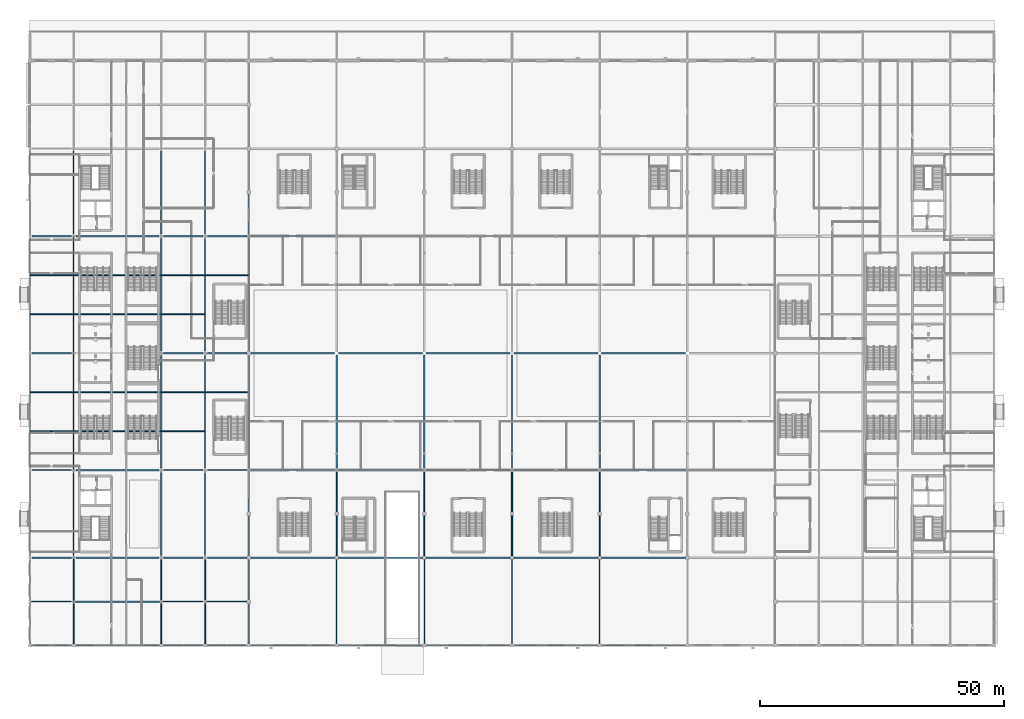
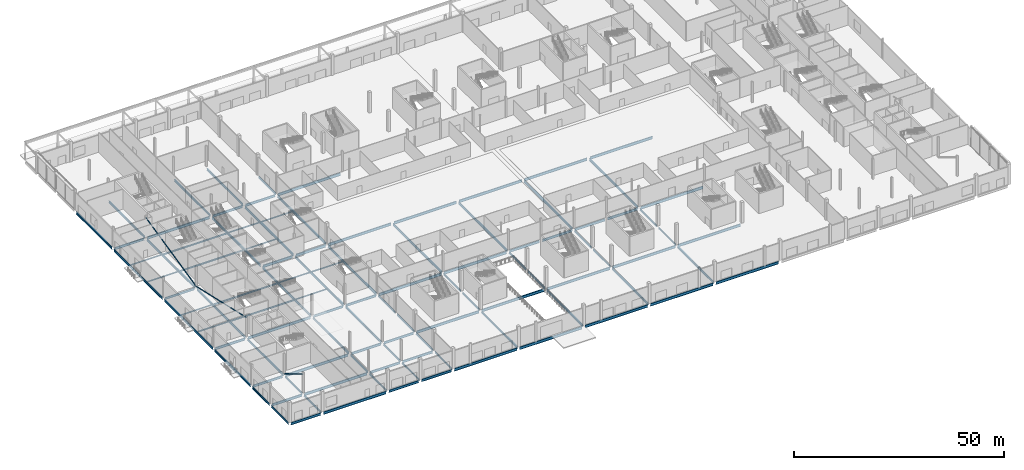
# One storey, part 21 of 84: 107 beams, 3 members.
"""IFC4 building model written with IfcOpenShell, lengths in metres."""

from ifc_helpers import new_model, si_unit, direction, frame, origin, origin_2d, place, context, subcontext, project, spatial, hollow_circle, i_section, extrude, material, material_profile, profile_set, type_object, element, save


model = new_model("IFC4")

# Units and contexts
model_context = context("Model", 3, precision=1e-05, world=origin(), true_north=direction((0.0, 1.0)))
body_context = subcontext(model_context, "Body", "Model", "MODEL_VIEW")
ifc_project = project(units=[si_unit("LENGTHUNIT", "METRE"), si_unit("AREAUNIT", "SQUARE_METRE"), si_unit("VOLUMEUNIT", "CUBIC_METRE"), si_unit("PLANEANGLEUNIT", "RADIAN"), si_unit("MASSUNIT", "GRAM", prefix="KILO")], contexts=[model_context])

# Site, building, storey
site_placement = place(None, origin())
site = spatial("IfcSite", under=ifc_project, at=site_placement, CompositionType="ELEMENT")
building_placement = place(site_placement, origin())
building = spatial("IfcBuilding", under=site, at=building_placement, Name="Kisiwana Market Hall", CompositionType="ELEMENT")
storey_placement = place(building_placement, origin())
storey = spatial("IfcBuildingStorey", under=building, at=storey_placement, Name="L00", CompositionType="ELEMENT", Elevation=0.0)

# Beams
ifc_material_1 = material(Name="Steel S355", Category="steel")
ifc_material_profile_1 = material_profile(ifc_material_1, i_section(OverallWidth=0.209228515625, OverallDepth=0.533203125, WebThickness=0.010009765625, FlangeThickness=0.015625, at=origin_2d()), Name="UB 533x210x92")
ifc_profile_set_1 = profile_set([ifc_material_profile_1], Name="Steel S355")
beam_type_1 = type_object("IfcBeamType", Name="BM-GIRD-UB533", PredefinedType="BEAM", material=ifc_profile_set_1)
beam_1_placement = place(storey_placement, frame((9.0, 0.39599609375, -0.526611328125), z_axis=(0.0, 1.0, 0.0), x_axis=(-1.0, 0.0, 0.0)))
element("IfcBeam", 1, at=beam_1_placement, inside=storey, type_object=beam_type_1, Name="Primary girder B-0005", PredefinedType="BEAM", context=body_context, shape_type="SweptSolid", body=[
    extrude(i_section(OverallWidth=0.209228515625, OverallDepth=0.533203125, WebThickness=0.010009765625, FlangeThickness=0.015625, at=origin_2d()), origin(), (0.0, 0.0, 1.0), 8.2080078125),
])
beam_2_placement = place(storey_placement, frame((9.0, 9.39599609375, -0.526611328125), z_axis=(0.0, 1.0, 0.0), x_axis=(-1.0, 0.0, 0.0)))
element("IfcBeam", 2, at=beam_2_placement, inside=storey, type_object=beam_type_1, Name="Primary girder B-0006", PredefinedType="BEAM", context=body_context, shape_type="SweptSolid", body=[
    extrude(i_section(OverallWidth=0.209228515625, OverallDepth=0.533203125, WebThickness=0.010009765625, FlangeThickness=0.015625, at=origin_2d()), origin(), (0.0, 0.0, 1.0), 8.157958984375),
])
beam_3_placement = place(storey_placement, frame((27.0, 0.39599609375, -0.526611328125), z_axis=(0.0, 1.0, 0.0), x_axis=(-1.0, 0.0, 0.0)))
element("IfcBeam", 3, at=beam_3_placement, inside=storey, type_object=beam_type_1, Name="Primary girder B-0014", PredefinedType="BEAM", context=body_context, shape_type="SweptSolid", body=[
    extrude(i_section(OverallWidth=0.209228515625, OverallDepth=0.533203125, WebThickness=0.010009765625, FlangeThickness=0.015625, at=origin_2d()), origin(), (0.0, 0.0, 1.0), 8.2080078125),
])
beam_4_placement = place(storey_placement, frame((27.0, 9.39599609375, -0.526611328125), z_axis=(0.0, 1.0, 0.0), x_axis=(-1.0, 0.0, 0.0)))
element("IfcBeam", 4, at=beam_4_placement, inside=storey, type_object=beam_type_1, Name="Primary girder B-0015", PredefinedType="BEAM", context=body_context, shape_type="SweptSolid", body=[
    extrude(i_section(OverallWidth=0.209228515625, OverallDepth=0.533203125, WebThickness=0.010009765625, FlangeThickness=0.015625, at=origin_2d()), origin(), (0.0, 0.0, 1.0), 8.157958984375),
])
beam_5_placement = place(storey_placement, frame((36.0, 0.39599609375, -0.526611328125), z_axis=(0.0, 1.0, 0.0), x_axis=(-1.0, 0.0, 0.0)))
element("IfcBeam", 5, at=beam_5_placement, inside=storey, type_object=beam_type_1, Name="Primary girder B-0021", PredefinedType="BEAM", context=body_context, shape_type="SweptSolid", body=[
    extrude(i_section(OverallWidth=0.209228515625, OverallDepth=0.533203125, WebThickness=0.010009765625, FlangeThickness=0.015625, at=origin_2d()), origin(), (0.0, 0.0, 1.0), 8.2080078125),
])
beam_6_placement = place(storey_placement, frame((36.0, 9.39599609375, -0.526611328125), z_axis=(0.0, 1.0, 0.0), x_axis=(-1.0, 0.0, 0.0)))
element("IfcBeam", 6, at=beam_6_placement, inside=storey, type_object=beam_type_1, Name="Primary girder B-0022", PredefinedType="BEAM", context=body_context, shape_type="SweptSolid", body=[
    extrude(i_section(OverallWidth=0.209228515625, OverallDepth=0.533203125, WebThickness=0.010009765625, FlangeThickness=0.015625, at=origin_2d()), origin(), (0.0, 0.0, 1.0), 8.157958984375),
])
for number, where, z_axis, x_axis, name in (
    (7, (45.0, 0.39599609375, -0.526611328125), (0.0, 1.0, 0.0), (-1.0, 0.0, 0.0), "Primary girder B-0030"),
    (8, (45.0, 9.39599609375, -0.526611328125), (0.0, 1.0, 0.0), (-1.0, 0.0, 0.0), "Primary girder B-0031"),
    (9, (45.0, 18.39599609375, -0.526611328125), (0.0, 1.0, 0.0), (-1.0, 0.0, 0.0), "Primary girder B-0032"),
    (10, (45.0, 27.39599609375, -0.526611328125), (0.0, 1.0, 0.0), (-1.0, 0.0, 0.0), "Primary girder B-0033"),
    (11, (45.0, 84.39599609375, -0.526611328125), (0.0, 1.0, 0.0), (-1.0, 0.0, 0.0), "Primary girder B-0034"),
    (12, (63.0, 18.39599609375, -0.526611328125), (0.0, 1.0, 0.0), (-1.0, 0.0, 0.0), "Primary girder B-0040"),
    (13, (63.0, 27.39599609375, -0.526611328125), (0.0, 1.0, 0.0), (-1.0, 0.0, 0.0), "Primary girder B-0041"),
    (14, (81.0, 18.39599609375, -0.526611328125), (0.0, 1.0, 0.0), (-1.0, 0.0, 0.0), "Primary girder B-0049"),
    (15, (81.0, 27.39599609375, -0.526611328125), (0.0, 1.0, 0.0), (-1.0, 0.0, 0.0), "Primary girder B-0050"),
    (16, (99.0, 18.39599609375, -0.526611328125), (0.0, 1.0, 0.0), (-1.0, 0.0, 0.0), "Primary girder B-0058"),
    (17, (99.0, 27.39599609375, -0.526611328125), (0.0, 1.0, 0.0), (-1.0, 0.0, 0.0), "Primary girder B-0059"),
    (18, (117.0, 18.39599609375, -0.526611328125), (0.0, 1.0, 0.0), (-1.0, 0.0, 0.0), "Primary girder B-0067"),
    (19, (117.0, 27.39599609375, -0.526611328125), (0.0, 1.0, 0.0), (-1.0, 0.0, 0.0), "Primary girder B-0068"),
):
    element("IfcBeam", number, at=place(storey_placement, frame(where, z_axis=z_axis, x_axis=x_axis)), inside=storey, type_object=beam_type_1, Name=name, PredefinedType="BEAM", context=body_context, shape_type="SweptSolid", body=[
        extrude(i_section(OverallWidth=0.209228515625, OverallDepth=0.533203125, WebThickness=0.010009765625, FlangeThickness=0.015625, at=origin_2d()), origin(), (0.0, 0.0, 1.0), 8.2080078125),
    ])
ifc_material_2 = material(Name="Steel S355", Category="steel")
ifc_material_profile_2 = material_profile(ifc_material_2, i_section(OverallWidth=0.22900390625, OverallDepth=0.6123046875, WebThickness=0.011962890625, FlangeThickness=0.01953125, at=origin_2d()), Name="UB 610x229x125")
ifc_profile_set_2 = profile_set([ifc_material_profile_2], Name="Steel S355")
beam_type_2 = type_object("IfcBeamType", Name="BM-GIRD-UB610H", PredefinedType="BEAM", material=ifc_profile_set_2)
beam_7_placement = place(storey_placement, frame((0.0, 0.39599609375, -0.566162109375), z_axis=(0.0, 1.0, 0.0), x_axis=(-1.0, 0.0, 0.0)))
element("IfcBeam", 20, at=beam_7_placement, inside=storey, type_object=beam_type_2, Name="Floor beam B-0273", PredefinedType="BEAM", context=body_context, shape_type="SweptSolid", body=[
    extrude(i_section(OverallWidth=0.22900390625, OverallDepth=0.6123046875, WebThickness=0.011962890625, FlangeThickness=0.01953125, at=origin_2d()), origin(), (0.0, 0.0, 1.0), 8.2080078125),
])
beam_8_placement = place(storey_placement, frame((0.0, 9.39599609375, -0.566162109375), z_axis=(0.0, 1.0, 0.0), x_axis=(-1.0, 0.0, 0.0)))
element("IfcBeam", 21, at=beam_8_placement, inside=storey, type_object=beam_type_2, Name="Floor beam B-0274", PredefinedType="BEAM", context=body_context, shape_type="SweptSolid", body=[
    extrude(i_section(OverallWidth=0.22900390625, OverallDepth=0.6123046875, WebThickness=0.011962890625, FlangeThickness=0.01953125, at=origin_2d()), origin(), (0.0, 0.0, 1.0), 8.157958984375),
])
beam_9_placement = place(storey_placement, frame((0.446044921875, 60.0, -0.566162109375), z_axis=(1.0, 0.0, 0.0), x_axis=(0.0, 1.0, 0.0)))
element("IfcBeam", 22, at=beam_9_placement, inside=storey, type_object=beam_type_2, Name="Primary girder B-0003", PredefinedType="BEAM", context=body_context, shape_type="SweptSolid", body=[
    extrude(i_section(OverallWidth=0.22900390625, OverallDepth=0.6123046875, WebThickness=0.011962890625, FlangeThickness=0.01953125, at=origin_2d()), origin(), (0.0, 0.0, 1.0), 8.10791015625),
])
for number, where, z_axis, x_axis, name in (
    (23, (9.0, 18.446044921875, -0.566162109375), (0.0, 1.0, 0.0), (-1.0, 0.0, 0.0), "Primary girder B-0007"),
    (24, (9.0, 84.446044921875, -0.566162109375), (0.0, 1.0, 0.0), (-1.0, 0.0, 0.0), "Primary girder B-0010"),
    (25, (27.0, 18.446044921875, -0.566162109375), (0.0, 1.0, 0.0), (-1.0, 0.0, 0.0), "Primary girder B-0016"),
    (26, (27.0, 84.446044921875, -0.566162109375), (0.0, 1.0, 0.0), (-1.0, 0.0, 0.0), "Primary girder B-0017"),
    (27, (36.0, 18.446044921875, -0.566162109375), (0.0, 1.0, 0.0), (-1.0, 0.0, 0.0), "Primary girder B-0023"),
    (28, (36.0, 84.446044921875, -0.566162109375), (0.0, 1.0, 0.0), (-1.0, 0.0, 0.0), "Primary girder B-0026"),
):
    element("IfcBeam", number, at=place(storey_placement, frame(where, z_axis=z_axis, x_axis=x_axis)), inside=storey, type_object=beam_type_2, Name=name, PredefinedType="BEAM", context=body_context, shape_type="SweptSolid", body=[
        extrude(i_section(OverallWidth=0.22900390625, OverallDepth=0.6123046875, WebThickness=0.011962890625, FlangeThickness=0.01953125, at=origin_2d()), origin(), (0.0, 0.0, 1.0), 17.10791015625),
    ])
for number, where, z_axis, x_axis, name in (
    (29, (63.0, 0.39599609375, -0.566162109375), (0.0, 1.0, 0.0), (-1.0, 0.0, 0.0), "Primary girder B-0039"),
    (30, (81.0, 0.39599609375, -0.566162109375), (0.0, 1.0, 0.0), (-1.0, 0.0, 0.0), "Primary girder B-0048"),
    (31, (99.0, 0.39599609375, -0.566162109375), (0.0, 1.0, 0.0), (-1.0, 0.0, 0.0), "Primary girder B-0057"),
    (32, (117.0, 0.39599609375, -0.566162109375), (0.0, 1.0, 0.0), (-1.0, 0.0, 0.0), "Primary girder B-0066"),
):
    element("IfcBeam", number, at=place(storey_placement, frame(where, z_axis=z_axis, x_axis=x_axis)), inside=storey, type_object=beam_type_2, Name=name, PredefinedType="BEAM", context=body_context, shape_type="SweptSolid", body=[
        extrude(i_section(OverallWidth=0.22900390625, OverallDepth=0.6123046875, WebThickness=0.011962890625, FlangeThickness=0.01953125, at=origin_2d()), origin(), (0.0, 0.0, 1.0), 17.2080078125),
    ])
ifc_material_3 = material(Name="Steel S355", Category="steel")
ifc_material_profile_3 = material_profile(ifc_material_3, i_section(OverallWidth=0.253662109375, OverallDepth=0.68359375, WebThickness=0.012451171875, FlangeThickness=0.01904296875, at=origin_2d()), Name="UB 686x254x140")
ifc_profile_set_3 = profile_set([ifc_material_profile_3], Name="Steel S355")
beam_type_3 = type_object("IfcBeamType", Name="BM-GIRD-UB686", PredefinedType="BEAM", material=ifc_profile_set_3)
for number, where, z_axis, x_axis, name in (
    (33, (0.39599609375, 0.0, -0.601806640625), (1.0, 0.0, 0.0), (0.0, 1.0, 0.0), "Floor beam B-0147"),
    (34, (27.39599609375, 0.0, -0.601806640625), (1.0, 0.0, 0.0), (0.0, 1.0, 0.0), "Floor beam B-0149"),
    (35, (36.39599609375, 0.0, -0.601806640625), (1.0, 0.0, 0.0), (0.0, 1.0, 0.0), "Floor beam B-0150"),
    (36, (0.39599609375, 9.0, -0.601806640625), (1.0, 0.0, 0.0), (0.0, 1.0, 0.0), "Floor beam B-0161"),
    (37, (27.39599609375, 9.0, -0.601806640625), (1.0, 0.0, 0.0), (0.0, 1.0, 0.0), "Floor beam B-0163"),
    (38, (36.39599609375, 9.0, -0.601806640625), (1.0, 0.0, 0.0), (0.0, 1.0, 0.0), "Floor beam B-0164"),
):
    element("IfcBeam", number, at=place(storey_placement, frame(where, z_axis=z_axis, x_axis=x_axis)), inside=storey, type_object=beam_type_3, Name=name, PredefinedType="BEAM", context=body_context, shape_type="SweptSolid", body=[
        extrude(i_section(OverallWidth=0.253662109375, OverallDepth=0.68359375, WebThickness=0.012451171875, FlangeThickness=0.01904296875, at=origin_2d()), origin(), (0.0, 0.0, 1.0), 8.2080078125),
    ])
for number, where, z_axis, x_axis, name in (
    (39, (0.446044921875, 18.0, -0.601806640625), (1.0, 0.0, 0.0), (0.0, 1.0, 0.0), "Floor beam B-0169"),
    (40, (27.446044921875, 18.0, -0.601806640625), (1.0, 0.0, 0.0), (0.0, 1.0, 0.0), "Floor beam B-0171"),
):
    element("IfcBeam", number, at=place(storey_placement, frame(where, z_axis=z_axis, x_axis=x_axis)), inside=storey, type_object=beam_type_3, Name=name, PredefinedType="BEAM", context=body_context, shape_type="SweptSolid", body=[
        extrude(i_section(OverallWidth=0.253662109375, OverallDepth=0.68359375, WebThickness=0.012451171875, FlangeThickness=0.01904296875, at=origin_2d()), origin(), (0.0, 0.0, 1.0), 8.10791015625),
    ])
beam_10_placement = place(storey_placement, frame((36.446044921875, 18.0, -0.601806640625), z_axis=(1.0, 0.0, 0.0), x_axis=(0.0, 1.0, 0.0)))
element("IfcBeam", 41, at=beam_10_placement, inside=storey, type_object=beam_type_3, Name="Floor beam B-0172", PredefinedType="BEAM", context=body_context, shape_type="SweptSolid", body=[
    extrude(i_section(OverallWidth=0.253662109375, OverallDepth=0.68359375, WebThickness=0.012451171875, FlangeThickness=0.01904296875, at=origin_2d()), origin(), (0.0, 0.0, 1.0), 8.157958984375),
])
for number, where, z_axis, x_axis, name in (
    (42, (0.446044921875, 36.0, -0.601806640625), (1.0, 0.0, 0.0), (0.0, 1.0, 0.0), "Floor beam B-0183"),
    (43, (27.446044921875, 36.0, -0.601806640625), (1.0, 0.0, 0.0), (0.0, 1.0, 0.0), "Floor beam B-0185"),
):
    element("IfcBeam", number, at=place(storey_placement, frame(where, z_axis=z_axis, x_axis=x_axis)), inside=storey, type_object=beam_type_3, Name=name, PredefinedType="BEAM", context=body_context, shape_type="SweptSolid", body=[
        extrude(i_section(OverallWidth=0.253662109375, OverallDepth=0.68359375, WebThickness=0.012451171875, FlangeThickness=0.01904296875, at=origin_2d()), origin(), (0.0, 0.0, 1.0), 8.10791015625),
    ])
beam_11_placement = place(storey_placement, frame((36.446044921875, 36.0, -0.601806640625), z_axis=(1.0, 0.0, 0.0), x_axis=(0.0, 1.0, 0.0)))
element("IfcBeam", 44, at=beam_11_placement, inside=storey, type_object=beam_type_3, Name="Floor beam B-0186", PredefinedType="BEAM", context=body_context, shape_type="SweptSolid", body=[
    extrude(i_section(OverallWidth=0.253662109375, OverallDepth=0.68359375, WebThickness=0.012451171875, FlangeThickness=0.01904296875, at=origin_2d()), origin(), (0.0, 0.0, 1.0), 8.157958984375),
])
for number, where, z_axis, x_axis, name in (
    (45, (81.39599609375, 36.0, -0.601806640625), (1.0, 0.0, 0.0), (0.0, 1.0, 0.0), "Floor beam B-0189"),
    (46, (90.39599609375, 36.0, -0.601806640625), (1.0, 0.0, 0.0), (0.0, 1.0, 0.0), "Floor beam B-0190"),
    (47, (99.39599609375, 36.0, -0.601806640625), (1.0, 0.0, 0.0), (0.0, 1.0, 0.0), "Floor beam B-0191"),
    (48, (108.39599609375, 36.0, -0.601806640625), (1.0, 0.0, 0.0), (0.0, 1.0, 0.0), "Floor beam B-0192"),
):
    element("IfcBeam", number, at=place(storey_placement, frame(where, z_axis=z_axis, x_axis=x_axis)), inside=storey, type_object=beam_type_3, Name=name, PredefinedType="BEAM", context=body_context, shape_type="SweptSolid", body=[
        extrude(i_section(OverallWidth=0.253662109375, OverallDepth=0.68359375, WebThickness=0.012451171875, FlangeThickness=0.01904296875, at=origin_2d()), origin(), (0.0, 0.0, 1.0), 8.2080078125),
    ])
for number, where, z_axis, x_axis, name in (
    (49, (0.446044921875, 84.0, -0.601806640625), (1.0, 0.0, 0.0), (0.0, 1.0, 0.0), "Floor beam B-0207"),
    (50, (27.446044921875, 84.0, -0.601806640625), (1.0, 0.0, 0.0), (0.0, 1.0, 0.0), "Floor beam B-0209"),
):
    element("IfcBeam", number, at=place(storey_placement, frame(where, z_axis=z_axis, x_axis=x_axis)), inside=storey, type_object=beam_type_3, Name=name, PredefinedType="BEAM", context=body_context, shape_type="SweptSolid", body=[
        extrude(i_section(OverallWidth=0.253662109375, OverallDepth=0.68359375, WebThickness=0.012451171875, FlangeThickness=0.01904296875, at=origin_2d()), origin(), (0.0, 0.0, 1.0), 8.10791015625),
    ])
beam_12_placement = place(storey_placement, frame((36.446044921875, 84.0, -0.601806640625), z_axis=(1.0, 0.0, 0.0), x_axis=(0.0, 1.0, 0.0)))
element("IfcBeam", 51, at=beam_12_placement, inside=storey, type_object=beam_type_3, Name="Floor beam B-0210", PredefinedType="BEAM", context=body_context, shape_type="SweptSolid", body=[
    extrude(i_section(OverallWidth=0.253662109375, OverallDepth=0.68359375, WebThickness=0.012451171875, FlangeThickness=0.01904296875, at=origin_2d()), origin(), (0.0, 0.0, 1.0), 8.157958984375),
])
beam_13_placement = place(storey_placement, frame((0.0, 18.446044921875, -0.601806640625), z_axis=(0.0, 1.0, 0.0), x_axis=(-1.0, 0.0, 0.0)))
element("IfcBeam", 52, at=beam_13_placement, inside=storey, type_object=beam_type_3, Name="Floor beam B-0275", PredefinedType="BEAM", context=body_context, shape_type="SweptSolid", body=[
    extrude(i_section(OverallWidth=0.253662109375, OverallDepth=0.68359375, WebThickness=0.012451171875, FlangeThickness=0.01904296875, at=origin_2d()), origin(), (0.0, 0.0, 1.0), 17.10791015625),
])
for number, where, z_axis, x_axis, name in (
    (53, (0.0, 36.446044921875, -0.601806640625), (0.0, 1.0, 0.0), (-1.0, 0.0, 0.0), "Floor beam B-0276"),
    (54, (0.0, 60.446044921875, -0.601806640625), (0.0, 1.0, 0.0), (-1.0, 0.0, 0.0), "Floor beam B-0277"),
):
    element("IfcBeam", number, at=place(storey_placement, frame(where, z_axis=z_axis, x_axis=x_axis)), inside=storey, type_object=beam_type_3, Name=name, PredefinedType="BEAM", context=body_context, shape_type="SweptSolid", body=[
        extrude(i_section(OverallWidth=0.253662109375, OverallDepth=0.68359375, WebThickness=0.012451171875, FlangeThickness=0.01904296875, at=origin_2d()), origin(), (0.0, 0.0, 1.0), 23.10791015625),
    ])
beam_14_placement = place(storey_placement, frame((0.0, 84.446044921875, -0.601806640625), z_axis=(0.0, 1.0, 0.0), x_axis=(-1.0, 0.0, 0.0)))
element("IfcBeam", 55, at=beam_14_placement, inside=storey, type_object=beam_type_3, Name="Floor beam B-0278", PredefinedType="BEAM", context=body_context, shape_type="SweptSolid", body=[
    extrude(i_section(OverallWidth=0.253662109375, OverallDepth=0.68359375, WebThickness=0.012451171875, FlangeThickness=0.01904296875, at=origin_2d()), origin(), (0.0, 0.0, 1.0), 17.10791015625),
])
for number, where, z_axis, x_axis, name in (
    (56, (27.0, 36.446044921875, -0.601806640625), (0.0, 1.0, 0.0), (-1.0, 0.0, 0.0), "Floor beam B-0282"),
    (57, (27.0, 60.446044921875, -0.601806640625), (0.0, 1.0, 0.0), (-1.0, 0.0, 0.0), "Floor beam B-0283"),
):
    element("IfcBeam", number, at=place(storey_placement, frame(where, z_axis=z_axis, x_axis=x_axis)), inside=storey, type_object=beam_type_3, Name=name, PredefinedType="BEAM", context=body_context, shape_type="SweptSolid", body=[
        extrude(i_section(OverallWidth=0.253662109375, OverallDepth=0.68359375, WebThickness=0.012451171875, FlangeThickness=0.01904296875, at=origin_2d()), origin(), (0.0, 0.0, 1.0), 23.10791015625),
    ])
for number, where, z_axis, x_axis, name in (
    (58, (45.0, 36.39599609375, -0.601806640625), (0.0, 1.0, 0.0), (-1.0, 0.0, 0.0), "Floor beam B-0284"),
    (59, (45.0, 60.39599609375, -0.601806640625), (0.0, 1.0, 0.0), (-1.0, 0.0, 0.0), "Floor beam B-0285"),
):
    element("IfcBeam", number, at=place(storey_placement, frame(where, z_axis=z_axis, x_axis=x_axis)), inside=storey, type_object=beam_type_3, Name=name, PredefinedType="BEAM", context=body_context, shape_type="SweptSolid", body=[
        extrude(i_section(OverallWidth=0.253662109375, OverallDepth=0.68359375, WebThickness=0.012451171875, FlangeThickness=0.01904296875, at=origin_2d()), origin(), (0.0, 0.0, 1.0), 23.2080078125),
    ])
for number, where, z_axis, x_axis, name in (
    (60, (9.0, 36.446044921875, -0.601806640625), (0.0, 1.0, 0.0), (-1.0, 0.0, 0.0), "Primary girder B-0008"),
    (61, (9.0, 60.446044921875, -0.601806640625), (0.0, 1.0, 0.0), (-1.0, 0.0, 0.0), "Primary girder B-0009"),
    (62, (36.0, 36.446044921875, -0.601806640625), (0.0, 1.0, 0.0), (-1.0, 0.0, 0.0), "Primary girder B-0024"),
    (63, (36.0, 60.446044921875, -0.601806640625), (0.0, 1.0, 0.0), (-1.0, 0.0, 0.0), "Primary girder B-0025"),
):
    element("IfcBeam", number, at=place(storey_placement, frame(where, z_axis=z_axis, x_axis=x_axis)), inside=storey, type_object=beam_type_3, Name=name, PredefinedType="BEAM", context=body_context, shape_type="SweptSolid", body=[
        extrude(i_section(OverallWidth=0.253662109375, OverallDepth=0.68359375, WebThickness=0.012451171875, FlangeThickness=0.01904296875, at=origin_2d()), origin(), (0.0, 0.0, 1.0), 23.10791015625),
    ])
for number, where, z_axis, x_axis, name in (
    (64, (63.0, 36.39599609375, -0.601806640625), (0.0, 1.0, 0.0), (-1.0, 0.0, 0.0), "Primary girder B-0042"),
    (65, (81.0, 36.39599609375, -0.601806640625), (0.0, 1.0, 0.0), (-1.0, 0.0, 0.0), "Primary girder B-0051"),
    (66, (99.0, 36.39599609375, -0.601806640625), (0.0, 1.0, 0.0), (-1.0, 0.0, 0.0), "Primary girder B-0060"),
    (67, (117.0, 36.39599609375, -0.601806640625), (0.0, 1.0, 0.0), (-1.0, 0.0, 0.0), "Primary girder B-0069"),
):
    element("IfcBeam", number, at=place(storey_placement, frame(where, z_axis=z_axis, x_axis=x_axis)), inside=storey, type_object=beam_type_3, Name=name, PredefinedType="BEAM", context=body_context, shape_type="SweptSolid", body=[
        extrude(i_section(OverallWidth=0.253662109375, OverallDepth=0.68359375, WebThickness=0.012451171875, FlangeThickness=0.01904296875, at=origin_2d()), origin(), (0.0, 0.0, 1.0), 23.2080078125),
    ])
ifc_material_4 = material(Name="Steel S355", Category="steel")
ifc_material_profile_4 = material_profile(ifc_material_4, i_section(OverallWidth=0.2666015625, OverallDepth=0.76220703125, WebThickness=0.014404296875, FlangeThickness=0.021484375, at=origin_2d()), Name="UB 762x267x173")
ifc_profile_set_4 = profile_set([ifc_material_profile_4], Name="Steel S355")
beam_type_4 = type_object("IfcBeamType", Name="BM-GIRD-UB762", PredefinedType="BEAM", material=ifc_profile_set_4)
for number, where, z_axis, x_axis, name in (
    (68, (9.39599609375, 0.0, -0.64111328125), (1.0, 0.0, 0.0), (0.0, 1.0, 0.0), "Floor beam B-0148"),
    (69, (45.39599609375, 0.0, -0.64111328125), (1.0, 0.0, 0.0), (0.0, 1.0, 0.0), "Floor beam B-0151"),
    (70, (63.39599609375, 0.0, -0.68115234375), (1.0, 0.0, 0.0), (0.0, 1.0, 0.0), "Floor beam B-0152"),
    (71, (81.39599609375, 0.0, -0.64111328125), (1.0, 0.0, 0.0), (0.0, 1.0, 0.0), "Floor beam B-0153"),
    (72, (99.39599609375, 0.0, -0.64111328125), (1.0, 0.0, 0.0), (0.0, 1.0, 0.0), "Floor beam B-0154"),
    (73, (117.39599609375, 0.0, -0.64111328125), (1.0, 0.0, 0.0), (0.0, 1.0, 0.0), "Floor beam B-0155"),
    (74, (9.39599609375, 9.0, -0.64111328125), (1.0, 0.0, 0.0), (0.0, 1.0, 0.0), "Floor beam B-0162"),
):
    element("IfcBeam", number, at=place(storey_placement, frame(where, z_axis=z_axis, x_axis=x_axis)), inside=storey, type_object=beam_type_4, Name=name, PredefinedType="BEAM", context=body_context, shape_type="SweptSolid", body=[
        extrude(i_section(OverallWidth=0.2666015625, OverallDepth=0.76220703125, WebThickness=0.014404296875, FlangeThickness=0.021484375, at=origin_2d()), origin(), (0.0, 0.0, 1.0), 17.2080078125),
    ])
beam_15_placement = place(storey_placement, frame((9.446044921875, 18.0, -0.64111328125), z_axis=(1.0, 0.0, 0.0), x_axis=(0.0, 1.0, 0.0)))
element("IfcBeam", 75, at=beam_15_placement, inside=storey, type_object=beam_type_4, Name="Floor beam B-0170", PredefinedType="BEAM", context=body_context, shape_type="SweptSolid", body=[
    extrude(i_section(OverallWidth=0.2666015625, OverallDepth=0.76220703125, WebThickness=0.014404296875, FlangeThickness=0.021484375, at=origin_2d()), origin(), (0.0, 0.0, 1.0), 17.10791015625),
])
for number, where, z_axis, x_axis, name in (
    (76, (45.39599609375, 18.0, -0.64111328125), (1.0, 0.0, 0.0), (0.0, 1.0, 0.0), "Floor beam B-0173"),
    (77, (63.39599609375, 18.0, -0.64111328125), (1.0, 0.0, 0.0), (0.0, 1.0, 0.0), "Floor beam B-0174"),
    (78, (81.39599609375, 18.0, -0.64111328125), (1.0, 0.0, 0.0), (0.0, 1.0, 0.0), "Floor beam B-0175"),
    (79, (99.39599609375, 18.0, -0.64111328125), (1.0, 0.0, 0.0), (0.0, 1.0, 0.0), "Floor beam B-0176"),
    (80, (117.39599609375, 18.0, -0.64111328125), (1.0, 0.0, 0.0), (0.0, 1.0, 0.0), "Floor beam B-0177"),
):
    element("IfcBeam", number, at=place(storey_placement, frame(where, z_axis=z_axis, x_axis=x_axis)), inside=storey, type_object=beam_type_4, Name=name, PredefinedType="BEAM", context=body_context, shape_type="SweptSolid", body=[
        extrude(i_section(OverallWidth=0.2666015625, OverallDepth=0.76220703125, WebThickness=0.014404296875, FlangeThickness=0.021484375, at=origin_2d()), origin(), (0.0, 0.0, 1.0), 17.2080078125),
    ])
beam_16_placement = place(storey_placement, frame((9.446044921875, 36.0, -0.64111328125), z_axis=(1.0, 0.0, 0.0), x_axis=(0.0, 1.0, 0.0)))
element("IfcBeam", 81, at=beam_16_placement, inside=storey, type_object=beam_type_4, Name="Floor beam B-0184", PredefinedType="BEAM", context=body_context, shape_type="SweptSolid", body=[
    extrude(i_section(OverallWidth=0.2666015625, OverallDepth=0.76220703125, WebThickness=0.014404296875, FlangeThickness=0.021484375, at=origin_2d()), origin(), (0.0, 0.0, 1.0), 17.10791015625),
])
for number, where, z_axis, x_axis, name in (
    (82, (45.39599609375, 36.0, -0.64111328125), (1.0, 0.0, 0.0), (0.0, 1.0, 0.0), "Floor beam B-0187"),
    (83, (63.39599609375, 36.0, -0.64111328125), (1.0, 0.0, 0.0), (0.0, 1.0, 0.0), "Floor beam B-0188"),
    (84, (117.39599609375, 36.0, -0.64111328125), (1.0, 0.0, 0.0), (0.0, 1.0, 0.0), "Floor beam B-0193"),
):
    element("IfcBeam", number, at=place(storey_placement, frame(where, z_axis=z_axis, x_axis=x_axis)), inside=storey, type_object=beam_type_4, Name=name, PredefinedType="BEAM", context=body_context, shape_type="SweptSolid", body=[
        extrude(i_section(OverallWidth=0.2666015625, OverallDepth=0.76220703125, WebThickness=0.014404296875, FlangeThickness=0.021484375, at=origin_2d()), origin(), (0.0, 0.0, 1.0), 17.2080078125),
    ])
beam_17_placement = place(storey_placement, frame((27.446044921875, 60.0, -0.64111328125), z_axis=(1.0, 0.0, 0.0), x_axis=(0.0, 1.0, 0.0)))
element("IfcBeam", 85, at=beam_17_placement, inside=storey, type_object=beam_type_4, Name="Floor beam B-0199", PredefinedType="BEAM", context=body_context, shape_type="SweptSolid", body=[
    extrude(i_section(OverallWidth=0.2666015625, OverallDepth=0.76220703125, WebThickness=0.014404296875, FlangeThickness=0.021484375, at=origin_2d()), origin(), (0.0, 0.0, 1.0), 8.10791015625),
])
beam_18_placement = place(storey_placement, frame((36.446044921875, 60.0, -0.64111328125), z_axis=(1.0, 0.0, 0.0), x_axis=(0.0, 1.0, 0.0)))
element("IfcBeam", 86, at=beam_18_placement, inside=storey, type_object=beam_type_4, Name="Floor beam B-0001", PredefinedType="BEAM", context=body_context, shape_type="SweptSolid", body=[
    extrude(i_section(OverallWidth=0.2666015625, OverallDepth=0.76220703125, WebThickness=0.014404296875, FlangeThickness=0.021484375, at=origin_2d()), origin(), (0.0, 0.0, 1.0), 8.157958984375),
])
for number, where, z_axis, x_axis, name in (
    (87, (45.39599609375, 60.0, -0.64111328125), (1.0, 0.0, 0.0), (0.0, 1.0, 0.0), "Floor beam B-0200"),
    (88, (63.39599609375, 60.0, -0.64111328125), (1.0, 0.0, 0.0), (0.0, 1.0, 0.0), "Floor beam B-0201"),
    (89, (81.39599609375, 60.0, -0.64111328125), (1.0, 0.0, 0.0), (0.0, 1.0, 0.0), "Floor beam B-0202"),
    (90, (99.39599609375, 60.0, -0.64111328125), (1.0, 0.0, 0.0), (0.0, 1.0, 0.0), "Floor beam B-0203"),
    (91, (117.39599609375, 60.0, -0.64111328125), (1.0, 0.0, 0.0), (0.0, 1.0, 0.0), "Floor beam B-0204"),
):
    element("IfcBeam", number, at=place(storey_placement, frame(where, z_axis=z_axis, x_axis=x_axis)), inside=storey, type_object=beam_type_4, Name=name, PredefinedType="BEAM", context=body_context, shape_type="SweptSolid", body=[
        extrude(i_section(OverallWidth=0.2666015625, OverallDepth=0.76220703125, WebThickness=0.014404296875, FlangeThickness=0.021484375, at=origin_2d()), origin(), (0.0, 0.0, 1.0), 17.2080078125),
    ])
beam_19_placement = place(storey_placement, frame((9.446044921875, 84.0, -0.64111328125), z_axis=(1.0, 0.0, 0.0), x_axis=(0.0, 1.0, 0.0)))
element("IfcBeam", 92, at=beam_19_placement, inside=storey, type_object=beam_type_4, Name="Floor beam B-0208", PredefinedType="BEAM", context=body_context, shape_type="SweptSolid", body=[
    extrude(i_section(OverallWidth=0.2666015625, OverallDepth=0.76220703125, WebThickness=0.014404296875, FlangeThickness=0.021484375, at=origin_2d()), origin(), (0.0, 0.0, 1.0), 17.10791015625),
])
beam_20_placement = place(storey_placement, frame((45.39599609375, 84.0, -0.64111328125), z_axis=(1.0, 0.0, 0.0), x_axis=(0.0, 1.0, 0.0)))
element("IfcBeam", 93, at=beam_20_placement, inside=storey, type_object=beam_type_4, Name="Floor beam B-0211", PredefinedType="BEAM", context=body_context, shape_type="SweptSolid", body=[
    extrude(i_section(OverallWidth=0.2666015625, OverallDepth=0.76220703125, WebThickness=0.014404296875, FlangeThickness=0.021484375, at=origin_2d()), origin(), (0.0, 0.0, 1.0), 17.2080078125),
])
ifc_material_5 = material(Name="Steel S355", Category="steel")
ifc_material_profile_5 = material_profile(ifc_material_5, i_section(OverallWidth=0.17138671875, OverallDepth=0.35498046875, WebThickness=0.00732421875, FlangeThickness=0.011474609375, at=origin_2d()), Name="UB 356x171x51")
ifc_profile_set_5 = profile_set([ifc_material_profile_5], Name="Steel S355")
beam_type_5 = type_object("IfcBeamType", Name="BM-JOIST-UB356", PredefinedType="JOIST", material=ifc_profile_set_5)
for number, where, z_axis, x_axis, name in (
    (94, (0.125732421875, 44.0, -0.4375), (1.0, 0.0, 0.0), (0.0, 1.0, 0.0), "Secondary floor joist B-0119"),
    (95, (27.125732421875, 44.0, -0.4375), (1.0, 0.0, 0.0), (0.0, 1.0, 0.0), "Secondary floor joist B-0121"),
    (96, (0.125732421875, 52.0, -0.4375), (1.0, 0.0, 0.0), (0.0, 1.0, 0.0), "Secondary floor joist B-0125"),
    (97, (27.125732421875, 52.0, -0.4375), (1.0, 0.0, 0.0), (0.0, 1.0, 0.0), "Secondary floor joist B-0127"),
    (98, (36.125732421875, 52.0, -0.4375), (1.0, 0.0, 0.0), (0.0, 1.0, 0.0), "Secondary floor joist B-0128"),
    (99, (0.125732421875, 68.0, -0.4375), (1.0, 0.0, 0.0), (0.0, 1.0, 0.0), "Secondary floor joist B-0133"),
    (100, (27.125732421875, 68.0, -0.4375), (1.0, 0.0, 0.0), (0.0, 1.0, 0.0), "Secondary floor joist B-0135"),
    (101, (0.125732421875, 76.0, -0.4375), (1.0, 0.0, 0.0), (0.0, 1.0, 0.0), "Secondary floor joist B-0139"),
    (102, (27.125732421875, 76.0, -0.4375), (1.0, 0.0, 0.0), (0.0, 1.0, 0.0), "Secondary floor joist B-0141"),
    (103, (36.125732421875, 76.0, -0.4375), (1.0, 0.0, 0.0), (0.0, 1.0, 0.0), "Secondary floor joist B-0142"),
):
    element("IfcBeam", number, at=place(storey_placement, frame(where, z_axis=z_axis, x_axis=x_axis)), inside=storey, type_object=beam_type_5, Name=name, PredefinedType="JOIST", context=body_context, shape_type="SweptSolid", body=[
        extrude(i_section(OverallWidth=0.17138671875, OverallDepth=0.35498046875, WebThickness=0.00732421875, FlangeThickness=0.011474609375, at=origin_2d()), origin(), (0.0, 0.0, 1.0), 8.74853515625),
    ])
ifc_material_6 = material(Name="Steel S355", Category="steel")
ifc_material_profile_6 = material_profile(ifc_material_6, i_section(OverallWidth=0.18994140625, OverallDepth=0.453369140625, WebThickness=0.008544921875, FlangeThickness=0.0126953125, at=origin_2d()), Name="UB 457x191x67")
ifc_profile_set_6 = profile_set([ifc_material_profile_6], Name="Steel S355")
beam_type_6 = type_object("IfcBeamType", Name="BM-JOIST-UB457", PredefinedType="JOIST", material=ifc_profile_set_6)
for number, where, z_axis, x_axis, name in (
    (104, (9.125732421875, 44.0, -0.48681640625), (1.0, 0.0, 0.0), (0.0, 1.0, 0.0), "Secondary floor joist B-0120"),
    (105, (9.125732421875, 52.0, -0.48681640625), (1.0, 0.0, 0.0), (0.0, 1.0, 0.0), "Secondary floor joist B-0126"),
    (106, (9.125732421875, 68.0, -0.48681640625), (1.0, 0.0, 0.0), (0.0, 1.0, 0.0), "Secondary floor joist B-0134"),
    (107, (9.125732421875, 76.0, -0.48681640625), (1.0, 0.0, 0.0), (0.0, 1.0, 0.0), "Secondary floor joist B-0140"),
):
    element("IfcBeam", number, at=place(storey_placement, frame(where, z_axis=z_axis, x_axis=x_axis)), inside=storey, type_object=beam_type_6, Name=name, PredefinedType="JOIST", context=body_context, shape_type="SweptSolid", body=[
        extrude(i_section(OverallWidth=0.18994140625, OverallDepth=0.453369140625, WebThickness=0.008544921875, FlangeThickness=0.0126953125, at=origin_2d()), origin(), (0.0, 0.0, 1.0), 17.74853515625),
    ])

# Members
ifc_material_7 = material(Name="Steel S355", Category="steel")
ifc_material_profile_7 = material_profile(ifc_material_7, hollow_circle(Radius=0.136474609375, WallThickness=0.012451171875, at=origin_2d()), Name="CHS 273.0x12.5")
ifc_profile_set_7 = profile_set([ifc_material_profile_7], Name="Steel S355")
member_type = type_object("IfcMemberType", Name="MB-CBF-CHS273", PredefinedType="BRACE", material=ifc_profile_set_7)
member_1_placement = place(storey_placement, frame((9.0, 60.0, 0.0), z_axis=(0.0, 0.975173182165, 0.221443592788), x_axis=(-1.0, 0.0, 0.0)))
element("IfcMember", 108, at=member_1_placement, inside=storey, type_object=member_type, Name="CBF-W-S diagonal brace (L00) M-0007", PredefinedType="BRACE", context=body_context, shape_type="SweptSolid", body=[
    extrude(hollow_circle(Radius=0.136474609375, WallThickness=0.012451171875, at=origin_2d()), origin(), (0.0, 0.0, 1.0), 24.611083984375),
])
member_2_placement = place(storey_placement, frame((9.0, 18.0, 0.0), z_axis=(0.0, -0.85539132019, 0.51798232532), x_axis=(1.0, 0.0, 0.0)))
element("IfcMember", 109, at=member_2_placement, inside=storey, type_object=member_type, Name="CBF-W-N diagonal brace (L00) M-0008", PredefinedType="BRACE", context=body_context, shape_type="SweptSolid", body=[
    extrude(hollow_circle(Radius=0.136474609375, WallThickness=0.012451171875, at=origin_2d()), origin(), (0.0, 0.0, 1.0), 10.521484375),
])
member_3_placement = place(storey_placement, frame((9.0, 60.0, 0.0), z_axis=(0.0, -0.975173182165, 0.221443592788), x_axis=(1.0, 0.0, 0.0)))
element("IfcMember", 110, at=member_3_placement, inside=storey, type_object=member_type, Name="CBF-POD-W diagonal brace (L00) M-0011", PredefinedType="BRACE", context=body_context, shape_type="SweptSolid", body=[
    extrude(hollow_circle(Radius=0.136474609375, WallThickness=0.012451171875, at=origin_2d()), origin(), (0.0, 0.0, 1.0), 24.611083984375),
])

save(model, "model.ifc")
